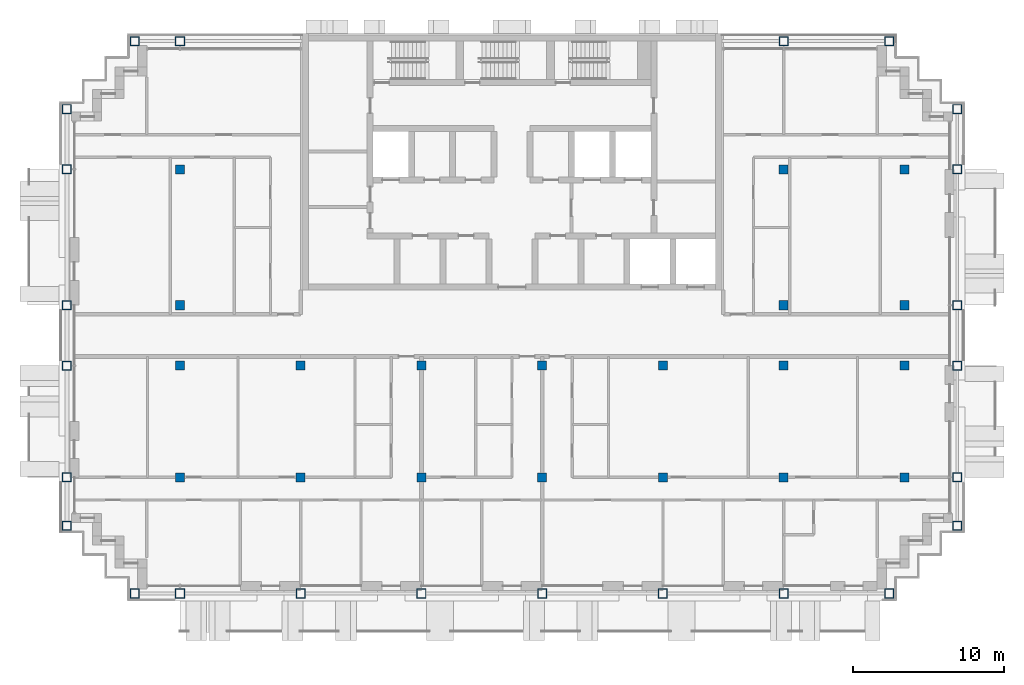
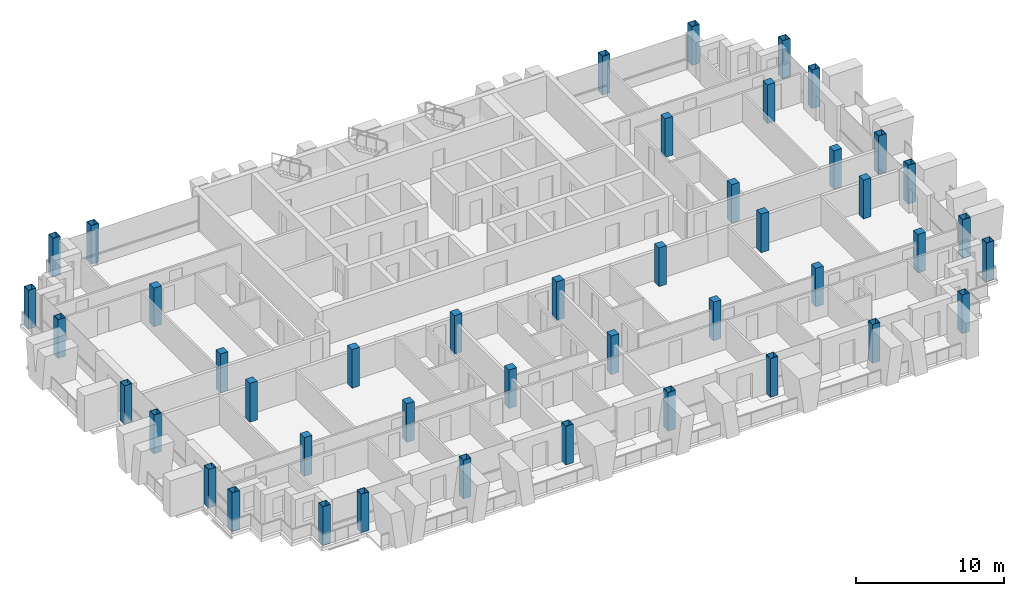
# One storey, part 1 of 16: 44 columns.
"""IFC4 building model written with IfcOpenShell, lengths in metres."""

from ifc_helpers import new_model, si_unit, direction, frame, origin, origin_2d, place, context, subcontext, project, spatial, rectangle, hollow_rectangle, extrude, material, material_profile, profile_set, type_object, element, save


model = new_model("IFC4")

# Units and contexts
model_context = context("Model", 3, precision=1e-05, world=origin(), true_north=direction((0.0, 1.0)))
body_context = subcontext(model_context, "Body", "Model", "MODEL_VIEW")
ifc_project = project(units=[si_unit("LENGTHUNIT", "METRE"), si_unit("AREAUNIT", "SQUARE_METRE"), si_unit("VOLUMEUNIT", "CUBIC_METRE"), si_unit("PLANEANGLEUNIT", "RADIAN"), si_unit("MASSUNIT", "GRAM", prefix="KILO")], contexts=[model_context])

# Site, building, storey
site_placement = place(None, origin())
site = spatial("IfcSite", under=ifc_project, at=site_placement, CompositionType="ELEMENT")
building_placement = place(site_placement, origin())
building = spatial("IfcBuilding", under=site, at=building_placement, Name="Vidyagriha Tower", CompositionType="ELEMENT")
storey_placement = place(building_placement, frame((0.0, 0.0, 223.60009765625)))
storey = spatial("IfcBuildingStorey", under=building, at=storey_placement, Name="L58", CompositionType="ELEMENT", Elevation=223.60009765625)

# Columns
ifc_material_1 = material(Name="Steel ASTM A572 Grade 50", Category="steel")
ifc_material_profile_1 = material_profile(ifc_material_1, hollow_rectangle(XDim=0.60009765625, YDim=0.60009765625, WallThickness=0.030029296875, at=origin_2d()), Name="BOX 600x600x30")
ifc_profile_set_1 = profile_set([ifc_material_profile_1], Name="Steel ASTM A572 Grade 50")
column_type_1 = type_object("IfcColumnType", Name="Exoskeleton column BOX 600x600x30", PredefinedType="COLUMN", material=ifc_profile_set_1)
for number, where, name in (
    (1, (-25.0, -17.10009765625, 0.0), "st-col-L58-B5-001"),
    (2, (-22.0, -17.10009765625, 0.0), "st-col-L58-B5-002"),
    (3, (-14.0, -17.10009765625, 0.0), "st-col-L58-B5-003"),
    (4, (-6.0, -17.10009765625, 0.0), "st-col-L58-B5-004"),
    (5, (2.0, -17.10009765625, 0.0), "st-col-L58-B5-005"),
    (6, (10.0, -17.10009765625, 0.0), "st-col-L58-B5-006"),
    (7, (18.0, -17.10009765625, 0.0), "st-col-L58-B5-007"),
    (8, (25.0, -17.10009765625, 0.0), "st-col-L58-B5-008"),
    (9, (-29.5, -12.60009765625, 0.0), "st-col-L58-B5-009"),
    (10, (29.5, -12.60009765625, 0.0), "st-col-L58-B5-010"),
    (11, (-29.5, -9.39990234375, 0.0), "st-col-L58-B5-011"),
    (12, (29.5, -9.39990234375, 0.0), "st-col-L58-B5-019"),
    (13, (-29.5, -2.0, 0.0), "st-col-L58-B5-020"),
    (14, (29.5, -2.0, 0.0), "st-col-L58-B5-028"),
    (15, (-29.5, 2.0, 0.0), "st-col-L58-B5-029"),
    (16, (29.5, 2.0, 0.0), "st-col-L58-B5-033"),
    (17, (-29.5, 11.0, 0.0), "st-col-L58-B5-034"),
    (18, (29.5, 11.0, 0.0), "st-col-L58-B5-038"),
    (19, (-29.5, 15.0, 0.0), "st-col-L58-B5-039"),
    (20, (29.5, 15.0, 0.0), "st-col-L58-B5-040"),
    (21, (-25.0, 19.5, 0.0), "st-col-L58-B5-041"),
    (22, (-22.0, 19.5, 0.0), "st-col-L58-B5-042"),
    (23, (18.0, 19.5, 0.0), "st-col-L58-B5-043"),
    (24, (25.0, 19.5, 0.0), "st-col-L58-B5-044"),
):
    element("IfcColumn", number, at=place(storey_placement, frame(where)), inside=storey, type_object=column_type_1, Name=name, PredefinedType="COLUMN", context=body_context, shape_type="SweptSolid", body=[
        extrude(hollow_rectangle(XDim=0.60009765625, YDim=0.60009765625, WallThickness=0.030029296875, at=origin_2d()), origin(), (0.0, 0.0, 1.0), 3.199951171875),
    ])
ifc_material_2 = material(Name="Concrete C60/75", Category="concrete")
ifc_material_profile_2 = material_profile(ifc_material_2, rectangle(XDim=0.60009765625, YDim=0.60009765625, at=origin_2d()), Name="RC 600x600")
ifc_profile_set_2 = profile_set([ifc_material_profile_2], Name="Concrete C60/75")
column_type_2 = type_object("IfcColumnType", Name="Frame column RC 600x600", PredefinedType="COLUMN", material=ifc_profile_set_2)
for number, where, name in (
    (25, (-22.0, -9.39990234375, 0.0), "st-col-L58-B5-012"),
    (26, (-14.0, -9.39990234375, 0.0), "st-col-L58-B5-013"),
    (27, (-6.0, -9.39990234375, 0.0), "st-col-L58-B5-014"),
    (28, (2.0, -9.39990234375, 0.0), "st-col-L58-B5-015"),
    (29, (10.0, -9.39990234375, 0.0), "st-col-L58-B5-016"),
    (30, (18.0, -9.39990234375, 0.0), "st-col-L58-B5-017"),
    (31, (26.0, -9.39990234375, 0.0), "st-col-L58-B5-018"),
    (32, (-22.0, -2.0, 0.0), "st-col-L58-B5-021"),
    (33, (-14.0, -2.0, 0.0), "st-col-L58-B5-022"),
    (34, (-6.0, -2.0, 0.0), "st-col-L58-B5-023"),
    (35, (2.0, -2.0, 0.0), "st-col-L58-B5-024"),
    (36, (10.0, -2.0, 0.0), "st-col-L58-B5-025"),
    (37, (18.0, -2.0, 0.0), "st-col-L58-B5-026"),
    (38, (26.0, -2.0, 0.0), "st-col-L58-B5-027"),
    (39, (-22.0, 2.0, 0.0), "st-col-L58-B5-030"),
    (40, (18.0, 2.0, 0.0), "st-col-L58-B5-031"),
    (41, (26.0, 2.0, 0.0), "st-col-L58-B5-032"),
    (42, (-22.0, 11.0, 0.0), "st-col-L58-B5-035"),
    (43, (18.0, 11.0, 0.0), "st-col-L58-B5-036"),
    (44, (26.0, 11.0, 0.0), "st-col-L58-B5-037"),
):
    element("IfcColumn", number, at=place(storey_placement, frame(where)), inside=storey, type_object=column_type_2, Name=name, PredefinedType="COLUMN", context=body_context, shape_type="SweptSolid", body=[
        extrude(rectangle(XDim=0.60009765625, YDim=0.60009765625, at=origin_2d()), origin(), (0.0, 0.0, 1.0), 3.199951171875),
    ])

save(model, "model.ifc")
